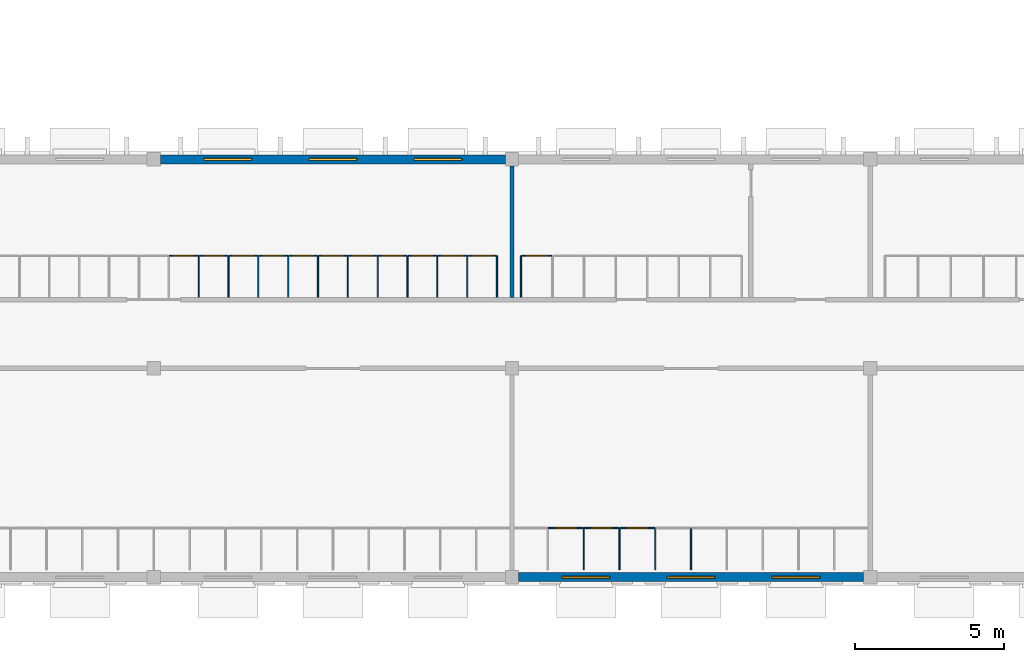
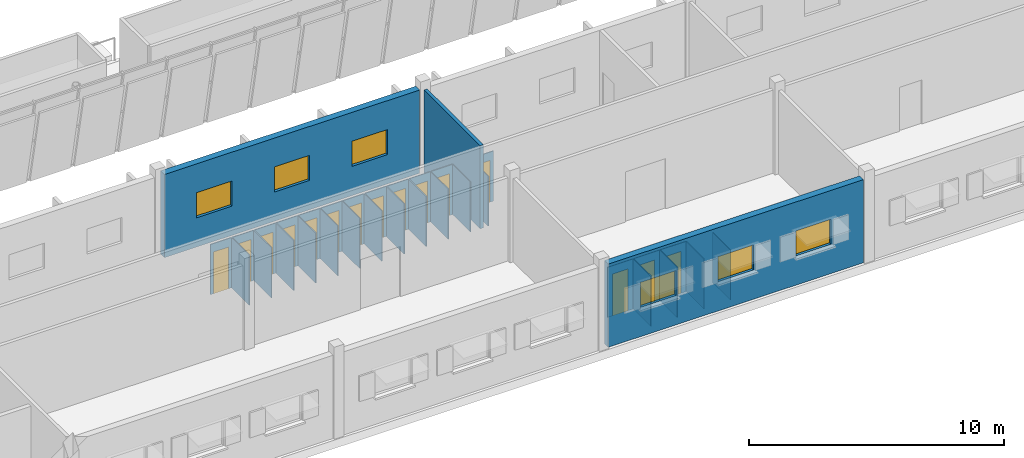
# One storey, part 64 of 115: 34 walls, 15 doors, 6 windows, 21 openings.
"""IFC4 building model written with IfcOpenShell, lengths in metres."""

from ifc_helpers import new_model, si_unit, direction, frame, frame_2d, origin, place, context, subcontext, project, spatial, rectangle, extrude, material, layer, layer_set, type_object, element, fill, save


model = new_model("IFC4")

# Units and contexts
model_context = context("Model", 3, precision=1e-05, world=origin(), true_north=direction((0.0, 1.0)))
body_context = subcontext(model_context, "Body", "Model", "MODEL_VIEW")
ifc_project = project(units=[si_unit("LENGTHUNIT", "METRE"), si_unit("AREAUNIT", "SQUARE_METRE"), si_unit("VOLUMEUNIT", "CUBIC_METRE"), si_unit("PLANEANGLEUNIT", "RADIAN"), si_unit("MASSUNIT", "GRAM", prefix="KILO")], contexts=[model_context])

# Site, building, storey
site_placement = place(None, origin())
site = spatial("IfcSite", under=ifc_project, at=site_placement, CompositionType="ELEMENT")
building_placement = place(site_placement, origin())
building = spatial("IfcBuilding", under=site, at=building_placement, Name="Windward Yard Aquatics Centre", CompositionType="ELEMENT")
storey_placement = place(building_placement, frame((0.0, 0.0, 5.0)))
storey = spatial("IfcBuildingStorey", under=building, at=storey_placement, Name="L01", CompositionType="ELEMENT", Elevation=5.0)

# Walls
ifc_material_1 = material(Name="Concrete masonry unit plastered", Category="masonry")
ifc_layer_1 = layer(ifc_material_1, 0.14990234375)
ifc_layer_set_1 = layer_set([ifc_layer_1], Name="C block partition 150")
wall_type_1 = type_object("IfcWallType", Name="C block partition 150", PredefinedType="PARTITIONING", material=ifc_layer_set_1)
wall_1_placement = place(storey_placement, frame((84.0, 14.375, 0.0), z_axis=(0.0, 0.0, 1.0), x_axis=(0.0, 1.0, 0.0)))
element("IfcWall", 1, at=wall_1_placement, inside=storey, type_object=wall_type_1, Name="C.W.L01.ND.32.1", PredefinedType="PARTITIONING", context=body_context, shape_type="SweptSolid", body=[
    extrude(rectangle(XDim=4.39990234375, YDim=0.14990234375, at=frame_2d((2.199951171875, 0.0))), origin(), (0.0, 0.0, 1.0), 3.97998046875),
])
ifc_material_2 = material(Name="High-pressure laminate panel on stainless frame")
ifc_layer_2 = layer(ifc_material_2, 0.0400390625)
ifc_layer_set_2 = layer_set([ifc_layer_2], Name="C cubicle panel 40")
wall_type_2 = type_object("IfcWallType", Name="C cubicle panel 40", PredefinedType="PARTITIONING", material=ifc_layer_set_2)
for number, where, z_axis, x_axis, name in (
    (2, (86.39990234375, 5.25, 0.0), (0.0, 0.0, 1.0), (0.0, 1.0, 0.0), "C.W.L01.A.P22"),
    (3, (87.60009765625, 5.25, 0.0), (0.0, 0.0, 1.0), (0.0, 1.0, 0.0), "C.W.L01.A.P23"),
    (4, (88.800048828125, 5.25, 0.0), (0.0, 0.0, 1.0), (0.0, 1.0, 0.0), "C.W.L01.A.P24"),
    (5, (90.0, 5.25, 0.0), (0.0, 0.0, 1.0), (0.0, 1.0, 0.0), "C.W.L01.A.P25"),
):
    element("IfcWall", number, at=place(storey_placement, frame(where, z_axis=z_axis, x_axis=x_axis)), inside=storey, type_object=wall_type_2, Name=name, PredefinedType="PARTITIONING", context=body_context, shape_type="SweptSolid", body=[
        extrude(rectangle(XDim=1.39990234375, YDim=0.0400390625, at=frame_2d((0.699951171875, 0.0))), origin(), (0.0, 0.0, 1.0), 2.39990234375),
    ])

# Wall, opening, door
wall_2_placement = place(storey_placement, frame((85.219970703125, 6.64990234375, 0.0), z_axis=(0.0, 0.0, 1.0), x_axis=(1.0, 0.0, 0.0)))
wall_2 = element("IfcWall", 6, at=wall_2_placement, inside=storey, type_object=wall_type_2, Name="C.W.L01.A.F21", PredefinedType="PARTITIONING", context=body_context, shape_type="SweptSolid", body=[
    extrude(rectangle(XDim=1.159912109375, YDim=0.0400390625, at=frame_2d((0.580078125, 0.0))), origin(), (0.0, 0.0, 1.0), 2.39990234375),
])
opening_1_placement = place(wall_2_placement, frame((0.22998046875, 0.0, 0.0)))
opening_1 = element("IfcOpeningElement", 7, at=opening_1_placement, cuts=wall_2, Name="Opening C1042", PredefinedType="OPENING", context=body_context, shape_type="SweptSolid", body=[
    extrude(rectangle(XDim=0.699951171875, YDim=2.0, at=frame_2d((0.35009765625, 1.0))), frame((0.0, 0.030029296875, 0.0), z_axis=(0.0, -1.0, 0.0), x_axis=(1.0, 0.0, 0.0)), (0.0, 0.0, 1.0), 0.06005859375),
])
ifc_material_3 = material(Name="High-pressure laminate door leaf")
door_type = type_object("IfcDoorType", Name="C door 700X2000 NOT RATED", OperationType="SINGLE_SWING_LEFT", PredefinedType="DOOR", material=ifc_material_3)
door_1_placement = place(opening_1_placement, origin())
door_1 = element("IfcDoor", 8, at=door_1_placement, inside=storey, type_object=door_type, Name="Cubicle door A22", OperationType="SINGLE_SWING_LEFT", OverallHeight=2.0, OverallWidth=0.699951171875, PredefinedType="DOOR", context=body_context, shape_type="SweptSolid", body=[
    extrude(rectangle(XDim=0.699951171875, YDim=2.0, at=frame_2d((0.35009765625, 1.0))), frame((0.0, 0.019775390625, 0.0), z_axis=(0.0, -1.0, 0.0), x_axis=(1.0, 0.0, 0.0)), (0.0, 0.0, 1.0), 0.03955078125),
])
fill(opening_1, door_1)

wall_3_placement = place(storey_placement, frame((86.419921875, 6.64990234375, 0.0), z_axis=(0.0, 0.0, 1.0), x_axis=(1.0, 0.0, 0.0)))
wall_3 = element("IfcWall", 9, at=wall_3_placement, inside=storey, type_object=wall_type_2, Name="C.W.L01.A.F22", PredefinedType="PARTITIONING", context=body_context, shape_type="SweptSolid", body=[
    extrude(rectangle(XDim=1.16015625, YDim=0.0400390625, at=frame_2d((0.580078125, 0.0))), origin(), (0.0, 0.0, 1.0), 2.39990234375),
])
opening_2_placement = place(wall_3_placement, frame((0.22998046875, 0.0, 0.0)))
opening_2 = element("IfcOpeningElement", 10, at=opening_2_placement, cuts=wall_3, Name="Opening C1043", PredefinedType="OPENING", context=body_context, shape_type="SweptSolid", body=[
    extrude(rectangle(XDim=0.699951171875, YDim=2.0, at=frame_2d((0.35009765625, 1.0))), frame((0.0, 0.030029296875, 0.0), z_axis=(0.0, -1.0, 0.0), x_axis=(1.0, 0.0, 0.0)), (0.0, 0.0, 1.0), 0.06005859375),
])
door_2_placement = place(opening_2_placement, origin())
door_2 = element("IfcDoor", 11, at=door_2_placement, inside=storey, type_object=door_type, Name="Cubicle door A23", OperationType="SINGLE_SWING_LEFT", OverallHeight=2.0, OverallWidth=0.699951171875, PredefinedType="DOOR", context=body_context, shape_type="SweptSolid", body=[
    extrude(rectangle(XDim=0.699951171875, YDim=2.0, at=frame_2d((0.35009765625, 1.0))), frame((0.0, 0.019775390625, 0.0), z_axis=(0.0, -1.0, 0.0), x_axis=(1.0, 0.0, 0.0)), (0.0, 0.0, 1.0), 0.03955078125),
])
fill(opening_2, door_2)

wall_4_placement = place(storey_placement, frame((87.6201171875, 6.64990234375, 0.0), z_axis=(0.0, 0.0, 1.0), x_axis=(1.0, 0.0, 0.0)))
wall_4 = element("IfcWall", 12, at=wall_4_placement, inside=storey, type_object=wall_type_2, Name="C.W.L01.A.F23", PredefinedType="PARTITIONING", context=body_context, shape_type="SweptSolid", body=[
    extrude(rectangle(XDim=1.159912109375, YDim=0.0400390625, at=frame_2d((0.580078125, 0.0))), origin(), (0.0, 0.0, 1.0), 2.39990234375),
])
opening_3_placement = place(wall_4_placement, frame((0.22998046875, 0.0, 0.0)))
opening_3 = element("IfcOpeningElement", 13, at=opening_3_placement, cuts=wall_4, Name="Opening C1044", PredefinedType="OPENING", context=body_context, shape_type="SweptSolid", body=[
    extrude(rectangle(XDim=0.699951171875, YDim=2.0, at=frame_2d((0.35009765625, 1.0))), frame((0.0, 0.030029296875, 0.0), z_axis=(0.0, -1.0, 0.0), x_axis=(1.0, 0.0, 0.0)), (0.0, 0.0, 1.0), 0.06005859375),
])
door_3_placement = place(opening_3_placement, origin())
door_3 = element("IfcDoor", 14, at=door_3_placement, inside=storey, type_object=door_type, Name="Cubicle door A24", OperationType="SINGLE_SWING_LEFT", OverallHeight=2.0, OverallWidth=0.699951171875, PredefinedType="DOOR", context=body_context, shape_type="SweptSolid", body=[
    extrude(rectangle(XDim=0.699951171875, YDim=2.0, at=frame_2d((0.35009765625, 1.0))), frame((0.0, 0.019775390625, 0.0), z_axis=(0.0, -1.0, 0.0), x_axis=(1.0, 0.0, 0.0)), (0.0, 0.0, 1.0), 0.03955078125),
])
fill(opening_3, door_3)

# Walls
for number, where, z_axis, x_axis, name in (
    (15, (73.5, 14.375, 0.0), (0.0, 0.0, 1.0), (0.0, 1.0, 0.0), "C.W.L01.E.P13"),
    (16, (74.5, 14.375, 0.0), (0.0, 0.0, 1.0), (0.0, 1.0, 0.0), "C.W.L01.E.P14"),
    (17, (75.5, 14.375, 0.0), (0.0, 0.0, 1.0), (0.0, 1.0, 0.0), "C.W.L01.E.P15"),
    (18, (76.5, 14.375, 0.0), (0.0, 0.0, 1.0), (0.0, 1.0, 0.0), "C.W.L01.E.P16"),
    (19, (77.5, 14.375, 0.0), (0.0, 0.0, 1.0), (0.0, 1.0, 0.0), "C.W.L01.E.P17"),
    (20, (78.5, 14.375, 0.0), (0.0, 0.0, 1.0), (0.0, 1.0, 0.0), "C.W.L01.E.P18"),
    (21, (79.5, 14.375, 0.0), (0.0, 0.0, 1.0), (0.0, 1.0, 0.0), "C.W.L01.E.P19"),
    (22, (80.5, 14.375, 0.0), (0.0, 0.0, 1.0), (0.0, 1.0, 0.0), "C.W.L01.E.P20"),
    (23, (81.5, 14.375, 0.0), (0.0, 0.0, 1.0), (0.0, 1.0, 0.0), "C.W.L01.E.P21"),
    (24, (82.5, 14.375, 0.0), (0.0, 0.0, 1.0), (0.0, 1.0, 0.0), "C.W.L01.E.P22"),
    (25, (83.5, 14.375, 0.0), (0.0, 0.0, 1.0), (0.0, 1.0, 0.0), "C.W.L01.E.P23"),
):
    element("IfcWall", number, at=place(storey_placement, frame(where, z_axis=z_axis, x_axis=x_axis)), inside=storey, type_object=wall_type_2, Name=name, PredefinedType="PARTITIONING", context=body_context, shape_type="SweptSolid", body=[
        extrude(rectangle(XDim=1.39990234375, YDim=0.0400390625, at=frame_2d((0.699951171875, 0.0))), origin(), (0.0, 0.0, 1.0), 2.39990234375),
    ])

# Wall, opening, door
wall_5_placement = place(storey_placement, frame((72.52001953125, 15.77490234375, 0.0), z_axis=(0.0, 0.0, 1.0), x_axis=(1.0, 0.0, 0.0)))
wall_5 = element("IfcWall", 26, at=wall_5_placement, inside=storey, type_object=wall_type_2, Name="C.W.L01.E.F12", PredefinedType="PARTITIONING", context=body_context, shape_type="SweptSolid", body=[
    extrude(rectangle(XDim=0.9599609375, YDim=0.0400390625, at=frame_2d((0.47998046875, 0.0))), origin(), (0.0, 0.0, 1.0), 2.39990234375),
])
opening_4_placement = place(wall_5_placement, frame((0.1298828125, 0.0, 0.0)))
opening_4 = element("IfcOpeningElement", 27, at=opening_4_placement, cuts=wall_5, Name="Opening C1063", PredefinedType="OPENING", context=body_context, shape_type="SweptSolid", body=[
    extrude(rectangle(XDim=0.699951171875, YDim=2.0, at=frame_2d((0.35009765625, 1.0))), frame((0.0, 0.030029296875, 0.0), z_axis=(0.0, -1.0, 0.0), x_axis=(1.0, 0.0, 0.0)), (0.0, 0.0, 1.0), 0.06005859375),
])
door_4_placement = place(opening_4_placement, origin())
door_4 = element("IfcDoor", 28, at=door_4_placement, inside=storey, type_object=door_type, Name="Cubicle door E13", OperationType="SINGLE_SWING_LEFT", OverallHeight=2.0, OverallWidth=0.699951171875, PredefinedType="DOOR", context=body_context, shape_type="SweptSolid", body=[
    extrude(rectangle(XDim=0.699951171875, YDim=2.0, at=frame_2d((0.35009765625, 1.0))), frame((0.0, 0.019775390625, 0.0), z_axis=(0.0, -1.0, 0.0), x_axis=(1.0, 0.0, 0.0)), (0.0, 0.0, 1.0), 0.03955078125),
])
fill(opening_4, door_4)

wall_6_placement = place(storey_placement, frame((73.52001953125, 15.77490234375, 0.0), z_axis=(0.0, 0.0, 1.0), x_axis=(1.0, 0.0, 0.0)))
wall_6 = element("IfcWall", 29, at=wall_6_placement, inside=storey, type_object=wall_type_2, Name="C.W.L01.E.F13", PredefinedType="PARTITIONING", context=body_context, shape_type="SweptSolid", body=[
    extrude(rectangle(XDim=0.9599609375, YDim=0.0400390625, at=frame_2d((0.47998046875, 0.0))), origin(), (0.0, 0.0, 1.0), 2.39990234375),
])
opening_5_placement = place(wall_6_placement, frame((0.1298828125, 0.0, 0.0)))
opening_5 = element("IfcOpeningElement", 30, at=opening_5_placement, cuts=wall_6, Name="Opening C1064", PredefinedType="OPENING", context=body_context, shape_type="SweptSolid", body=[
    extrude(rectangle(XDim=0.699951171875, YDim=2.0, at=frame_2d((0.35009765625, 1.0))), frame((0.0, 0.030029296875, 0.0), z_axis=(0.0, -1.0, 0.0), x_axis=(1.0, 0.0, 0.0)), (0.0, 0.0, 1.0), 0.06005859375),
])
door_5_placement = place(opening_5_placement, origin())
door_5 = element("IfcDoor", 31, at=door_5_placement, inside=storey, type_object=door_type, Name="Cubicle door E14", OperationType="SINGLE_SWING_LEFT", OverallHeight=2.0, OverallWidth=0.699951171875, PredefinedType="DOOR", context=body_context, shape_type="SweptSolid", body=[
    extrude(rectangle(XDim=0.699951171875, YDim=2.0, at=frame_2d((0.35009765625, 1.0))), frame((0.0, 0.019775390625, 0.0), z_axis=(0.0, -1.0, 0.0), x_axis=(1.0, 0.0, 0.0)), (0.0, 0.0, 1.0), 0.03955078125),
])
fill(opening_5, door_5)

wall_7_placement = place(storey_placement, frame((74.52001953125, 15.77490234375, 0.0), z_axis=(0.0, 0.0, 1.0), x_axis=(1.0, 0.0, 0.0)))
wall_7 = element("IfcWall", 32, at=wall_7_placement, inside=storey, type_object=wall_type_2, Name="C.W.L01.E.F14", PredefinedType="PARTITIONING", context=body_context, shape_type="SweptSolid", body=[
    extrude(rectangle(XDim=0.9599609375, YDim=0.0400390625, at=frame_2d((0.47998046875, 0.0))), origin(), (0.0, 0.0, 1.0), 2.39990234375),
])
opening_6_placement = place(wall_7_placement, frame((0.1298828125, 0.0, 0.0)))
opening_6 = element("IfcOpeningElement", 33, at=opening_6_placement, cuts=wall_7, Name="Opening C1065", PredefinedType="OPENING", context=body_context, shape_type="SweptSolid", body=[
    extrude(rectangle(XDim=0.699951171875, YDim=2.0, at=frame_2d((0.35009765625, 1.0))), frame((0.0, 0.030029296875, 0.0), z_axis=(0.0, -1.0, 0.0), x_axis=(1.0, 0.0, 0.0)), (0.0, 0.0, 1.0), 0.06005859375),
])
door_6_placement = place(opening_6_placement, origin())
door_6 = element("IfcDoor", 34, at=door_6_placement, inside=storey, type_object=door_type, Name="Cubicle door E15", OperationType="SINGLE_SWING_LEFT", OverallHeight=2.0, OverallWidth=0.699951171875, PredefinedType="DOOR", context=body_context, shape_type="SweptSolid", body=[
    extrude(rectangle(XDim=0.699951171875, YDim=2.0, at=frame_2d((0.35009765625, 1.0))), frame((0.0, 0.019775390625, 0.0), z_axis=(0.0, -1.0, 0.0), x_axis=(1.0, 0.0, 0.0)), (0.0, 0.0, 1.0), 0.03955078125),
])
fill(opening_6, door_6)

wall_8_placement = place(storey_placement, frame((75.52001953125, 15.77490234375, 0.0), z_axis=(0.0, 0.0, 1.0), x_axis=(1.0, 0.0, 0.0)))
wall_8 = element("IfcWall", 35, at=wall_8_placement, inside=storey, type_object=wall_type_2, Name="C.W.L01.E.F15", PredefinedType="PARTITIONING", context=body_context, shape_type="SweptSolid", body=[
    extrude(rectangle(XDim=0.9599609375, YDim=0.0400390625, at=frame_2d((0.47998046875, 0.0))), origin(), (0.0, 0.0, 1.0), 2.39990234375),
])
opening_7_placement = place(wall_8_placement, frame((0.1298828125, 0.0, 0.0)))
opening_7 = element("IfcOpeningElement", 36, at=opening_7_placement, cuts=wall_8, Name="Opening C1066", PredefinedType="OPENING", context=body_context, shape_type="SweptSolid", body=[
    extrude(rectangle(XDim=0.699951171875, YDim=2.0, at=frame_2d((0.35009765625, 1.0))), frame((0.0, 0.030029296875, 0.0), z_axis=(0.0, -1.0, 0.0), x_axis=(1.0, 0.0, 0.0)), (0.0, 0.0, 1.0), 0.06005859375),
])
door_7_placement = place(opening_7_placement, origin())
door_7 = element("IfcDoor", 37, at=door_7_placement, inside=storey, type_object=door_type, Name="Cubicle door E16", OperationType="SINGLE_SWING_LEFT", OverallHeight=2.0, OverallWidth=0.699951171875, PredefinedType="DOOR", context=body_context, shape_type="SweptSolid", body=[
    extrude(rectangle(XDim=0.699951171875, YDim=2.0, at=frame_2d((0.35009765625, 1.0))), frame((0.0, 0.019775390625, 0.0), z_axis=(0.0, -1.0, 0.0), x_axis=(1.0, 0.0, 0.0)), (0.0, 0.0, 1.0), 0.03955078125),
])
fill(opening_7, door_7)

wall_9_placement = place(storey_placement, frame((76.52001953125, 15.77490234375, 0.0), z_axis=(0.0, 0.0, 1.0), x_axis=(1.0, 0.0, 0.0)))
wall_9 = element("IfcWall", 38, at=wall_9_placement, inside=storey, type_object=wall_type_2, Name="C.W.L01.E.F16", PredefinedType="PARTITIONING", context=body_context, shape_type="SweptSolid", body=[
    extrude(rectangle(XDim=0.9599609375, YDim=0.0400390625, at=frame_2d((0.47998046875, 0.0))), origin(), (0.0, 0.0, 1.0), 2.39990234375),
])
opening_8_placement = place(wall_9_placement, frame((0.1298828125, 0.0, 0.0)))
opening_8 = element("IfcOpeningElement", 39, at=opening_8_placement, cuts=wall_9, Name="Opening C1067", PredefinedType="OPENING", context=body_context, shape_type="SweptSolid", body=[
    extrude(rectangle(XDim=0.699951171875, YDim=2.0, at=frame_2d((0.35009765625, 1.0))), frame((0.0, 0.030029296875, 0.0), z_axis=(0.0, -1.0, 0.0), x_axis=(1.0, 0.0, 0.0)), (0.0, 0.0, 1.0), 0.06005859375),
])
door_8_placement = place(opening_8_placement, origin())
door_8 = element("IfcDoor", 40, at=door_8_placement, inside=storey, type_object=door_type, Name="Cubicle door E17", OperationType="SINGLE_SWING_LEFT", OverallHeight=2.0, OverallWidth=0.699951171875, PredefinedType="DOOR", context=body_context, shape_type="SweptSolid", body=[
    extrude(rectangle(XDim=0.699951171875, YDim=2.0, at=frame_2d((0.35009765625, 1.0))), frame((0.0, 0.019775390625, 0.0), z_axis=(0.0, -1.0, 0.0), x_axis=(1.0, 0.0, 0.0)), (0.0, 0.0, 1.0), 0.03955078125),
])
fill(opening_8, door_8)

wall_10_placement = place(storey_placement, frame((77.52001953125, 15.77490234375, 0.0), z_axis=(0.0, 0.0, 1.0), x_axis=(1.0, 0.0, 0.0)))
wall_10 = element("IfcWall", 41, at=wall_10_placement, inside=storey, type_object=wall_type_2, Name="C.W.L01.E.F17", PredefinedType="PARTITIONING", context=body_context, shape_type="SweptSolid", body=[
    extrude(rectangle(XDim=0.9599609375, YDim=0.0400390625, at=frame_2d((0.47998046875, 0.0))), origin(), (0.0, 0.0, 1.0), 2.39990234375),
])
opening_9_placement = place(wall_10_placement, frame((0.1298828125, 0.0, 0.0)))
opening_9 = element("IfcOpeningElement", 42, at=opening_9_placement, cuts=wall_10, Name="Opening C1068", PredefinedType="OPENING", context=body_context, shape_type="SweptSolid", body=[
    extrude(rectangle(XDim=0.699951171875, YDim=2.0, at=frame_2d((0.35009765625, 1.0))), frame((0.0, 0.030029296875, 0.0), z_axis=(0.0, -1.0, 0.0), x_axis=(1.0, 0.0, 0.0)), (0.0, 0.0, 1.0), 0.06005859375),
])
door_9_placement = place(opening_9_placement, origin())
door_9 = element("IfcDoor", 43, at=door_9_placement, inside=storey, type_object=door_type, Name="Cubicle door E18", OperationType="SINGLE_SWING_LEFT", OverallHeight=2.0, OverallWidth=0.699951171875, PredefinedType="DOOR", context=body_context, shape_type="SweptSolid", body=[
    extrude(rectangle(XDim=0.699951171875, YDim=2.0, at=frame_2d((0.35009765625, 1.0))), frame((0.0, 0.019775390625, 0.0), z_axis=(0.0, -1.0, 0.0), x_axis=(1.0, 0.0, 0.0)), (0.0, 0.0, 1.0), 0.03955078125),
])
fill(opening_9, door_9)

wall_11_placement = place(storey_placement, frame((78.52001953125, 15.77490234375, 0.0), z_axis=(0.0, 0.0, 1.0), x_axis=(1.0, 0.0, 0.0)))
wall_11 = element("IfcWall", 44, at=wall_11_placement, inside=storey, type_object=wall_type_2, Name="C.W.L01.E.F18", PredefinedType="PARTITIONING", context=body_context, shape_type="SweptSolid", body=[
    extrude(rectangle(XDim=0.9599609375, YDim=0.0400390625, at=frame_2d((0.47998046875, 0.0))), origin(), (0.0, 0.0, 1.0), 2.39990234375),
])
opening_10_placement = place(wall_11_placement, frame((0.1298828125, 0.0, 0.0)))
opening_10 = element("IfcOpeningElement", 45, at=opening_10_placement, cuts=wall_11, Name="Opening C1069", PredefinedType="OPENING", context=body_context, shape_type="SweptSolid", body=[
    extrude(rectangle(XDim=0.699951171875, YDim=2.0, at=frame_2d((0.35009765625, 1.0))), frame((0.0, 0.030029296875, 0.0), z_axis=(0.0, -1.0, 0.0), x_axis=(1.0, 0.0, 0.0)), (0.0, 0.0, 1.0), 0.06005859375),
])
door_10_placement = place(opening_10_placement, origin())
door_10 = element("IfcDoor", 46, at=door_10_placement, inside=storey, type_object=door_type, Name="Cubicle door E19", OperationType="SINGLE_SWING_LEFT", OverallHeight=2.0, OverallWidth=0.699951171875, PredefinedType="DOOR", context=body_context, shape_type="SweptSolid", body=[
    extrude(rectangle(XDim=0.699951171875, YDim=2.0, at=frame_2d((0.35009765625, 1.0))), frame((0.0, 0.019775390625, 0.0), z_axis=(0.0, -1.0, 0.0), x_axis=(1.0, 0.0, 0.0)), (0.0, 0.0, 1.0), 0.03955078125),
])
fill(opening_10, door_10)

wall_12_placement = place(storey_placement, frame((79.52001953125, 15.77490234375, 0.0), z_axis=(0.0, 0.0, 1.0), x_axis=(1.0, 0.0, 0.0)))
wall_12 = element("IfcWall", 47, at=wall_12_placement, inside=storey, type_object=wall_type_2, Name="C.W.L01.E.F19", PredefinedType="PARTITIONING", context=body_context, shape_type="SweptSolid", body=[
    extrude(rectangle(XDim=0.9599609375, YDim=0.0400390625, at=frame_2d((0.47998046875, 0.0))), origin(), (0.0, 0.0, 1.0), 2.39990234375),
])
opening_11_placement = place(wall_12_placement, frame((0.1298828125, 0.0, 0.0)))
opening_11 = element("IfcOpeningElement", 48, at=opening_11_placement, cuts=wall_12, Name="Opening C1070", PredefinedType="OPENING", context=body_context, shape_type="SweptSolid", body=[
    extrude(rectangle(XDim=0.699951171875, YDim=2.0, at=frame_2d((0.35009765625, 1.0))), frame((0.0, 0.030029296875, 0.0), z_axis=(0.0, -1.0, 0.0), x_axis=(1.0, 0.0, 0.0)), (0.0, 0.0, 1.0), 0.06005859375),
])
door_11_placement = place(opening_11_placement, origin())
door_11 = element("IfcDoor", 49, at=door_11_placement, inside=storey, type_object=door_type, Name="Cubicle door E20", OperationType="SINGLE_SWING_LEFT", OverallHeight=2.0, OverallWidth=0.699951171875, PredefinedType="DOOR", context=body_context, shape_type="SweptSolid", body=[
    extrude(rectangle(XDim=0.699951171875, YDim=2.0, at=frame_2d((0.35009765625, 1.0))), frame((0.0, 0.019775390625, 0.0), z_axis=(0.0, -1.0, 0.0), x_axis=(1.0, 0.0, 0.0)), (0.0, 0.0, 1.0), 0.03955078125),
])
fill(opening_11, door_11)

wall_13_placement = place(storey_placement, frame((80.52001953125, 15.77490234375, 0.0), z_axis=(0.0, 0.0, 1.0), x_axis=(1.0, 0.0, 0.0)))
wall_13 = element("IfcWall", 50, at=wall_13_placement, inside=storey, type_object=wall_type_2, Name="C.W.L01.E.F20", PredefinedType="PARTITIONING", context=body_context, shape_type="SweptSolid", body=[
    extrude(rectangle(XDim=0.9599609375, YDim=0.0400390625, at=frame_2d((0.47998046875, 0.0))), origin(), (0.0, 0.0, 1.0), 2.39990234375),
])
opening_12_placement = place(wall_13_placement, frame((0.1298828125, 0.0, 0.0)))
opening_12 = element("IfcOpeningElement", 51, at=opening_12_placement, cuts=wall_13, Name="Opening C1071", PredefinedType="OPENING", context=body_context, shape_type="SweptSolid", body=[
    extrude(rectangle(XDim=0.699951171875, YDim=2.0, at=frame_2d((0.35009765625, 1.0))), frame((0.0, 0.030029296875, 0.0), z_axis=(0.0, -1.0, 0.0), x_axis=(1.0, 0.0, 0.0)), (0.0, 0.0, 1.0), 0.06005859375),
])
door_12_placement = place(opening_12_placement, origin())
door_12 = element("IfcDoor", 52, at=door_12_placement, inside=storey, type_object=door_type, Name="Cubicle door E21", OperationType="SINGLE_SWING_LEFT", OverallHeight=2.0, OverallWidth=0.699951171875, PredefinedType="DOOR", context=body_context, shape_type="SweptSolid", body=[
    extrude(rectangle(XDim=0.699951171875, YDim=2.0, at=frame_2d((0.35009765625, 1.0))), frame((0.0, 0.019775390625, 0.0), z_axis=(0.0, -1.0, 0.0), x_axis=(1.0, 0.0, 0.0)), (0.0, 0.0, 1.0), 0.03955078125),
])
fill(opening_12, door_12)

wall_14_placement = place(storey_placement, frame((81.52001953125, 15.77490234375, 0.0), z_axis=(0.0, 0.0, 1.0), x_axis=(1.0, 0.0, 0.0)))
wall_14 = element("IfcWall", 53, at=wall_14_placement, inside=storey, type_object=wall_type_2, Name="C.W.L01.E.F21", PredefinedType="PARTITIONING", context=body_context, shape_type="SweptSolid", body=[
    extrude(rectangle(XDim=0.9599609375, YDim=0.0400390625, at=frame_2d((0.47998046875, 0.0))), origin(), (0.0, 0.0, 1.0), 2.39990234375),
])
opening_13_placement = place(wall_14_placement, frame((0.1298828125, 0.0, 0.0)))
opening_13 = element("IfcOpeningElement", 54, at=opening_13_placement, cuts=wall_14, Name="Opening C1072", PredefinedType="OPENING", context=body_context, shape_type="SweptSolid", body=[
    extrude(rectangle(XDim=0.699951171875, YDim=2.0, at=frame_2d((0.35009765625, 1.0))), frame((0.0, 0.030029296875, 0.0), z_axis=(0.0, -1.0, 0.0), x_axis=(1.0, 0.0, 0.0)), (0.0, 0.0, 1.0), 0.06005859375),
])
door_13_placement = place(opening_13_placement, origin())
door_13 = element("IfcDoor", 55, at=door_13_placement, inside=storey, type_object=door_type, Name="Cubicle door E22", OperationType="SINGLE_SWING_LEFT", OverallHeight=2.0, OverallWidth=0.699951171875, PredefinedType="DOOR", context=body_context, shape_type="SweptSolid", body=[
    extrude(rectangle(XDim=0.699951171875, YDim=2.0, at=frame_2d((0.35009765625, 1.0))), frame((0.0, 0.019775390625, 0.0), z_axis=(0.0, -1.0, 0.0), x_axis=(1.0, 0.0, 0.0)), (0.0, 0.0, 1.0), 0.03955078125),
])
fill(opening_13, door_13)

wall_15_placement = place(storey_placement, frame((82.52001953125, 15.77490234375, 0.0), z_axis=(0.0, 0.0, 1.0), x_axis=(1.0, 0.0, 0.0)))
wall_15 = element("IfcWall", 56, at=wall_15_placement, inside=storey, type_object=wall_type_2, Name="C.W.L01.E.F22", PredefinedType="PARTITIONING", context=body_context, shape_type="SweptSolid", body=[
    extrude(rectangle(XDim=0.9599609375, YDim=0.0400390625, at=frame_2d((0.47998046875, 0.0))), origin(), (0.0, 0.0, 1.0), 2.39990234375),
])
opening_14_placement = place(wall_15_placement, frame((0.1298828125, 0.0, 0.0)))
opening_14 = element("IfcOpeningElement", 57, at=opening_14_placement, cuts=wall_15, Name="Opening C1073", PredefinedType="OPENING", context=body_context, shape_type="SweptSolid", body=[
    extrude(rectangle(XDim=0.699951171875, YDim=2.0, at=frame_2d((0.35009765625, 1.0))), frame((0.0, 0.030029296875, 0.0), z_axis=(0.0, -1.0, 0.0), x_axis=(1.0, 0.0, 0.0)), (0.0, 0.0, 1.0), 0.06005859375),
])
door_14_placement = place(opening_14_placement, origin())
door_14 = element("IfcDoor", 58, at=door_14_placement, inside=storey, type_object=door_type, Name="Cubicle door E23", OperationType="SINGLE_SWING_LEFT", OverallHeight=2.0, OverallWidth=0.699951171875, PredefinedType="DOOR", context=body_context, shape_type="SweptSolid", body=[
    extrude(rectangle(XDim=0.699951171875, YDim=2.0, at=frame_2d((0.35009765625, 1.0))), frame((0.0, 0.019775390625, 0.0), z_axis=(0.0, -1.0, 0.0), x_axis=(1.0, 0.0, 0.0)), (0.0, 0.0, 1.0), 0.03955078125),
])
fill(opening_14, door_14)

# Wall
wall_16_placement = place(storey_placement, frame((84.300048828125, 14.375, 0.0), z_axis=(0.0, 0.0, 1.0), x_axis=(0.0, 1.0, 0.0)))
element("IfcWall", 59, at=wall_16_placement, inside=storey, type_object=wall_type_2, Name="C.W.L01.F.P0", PredefinedType="PARTITIONING", context=body_context, shape_type="SweptSolid", body=[
    extrude(rectangle(XDim=1.39990234375, YDim=0.0400390625, at=frame_2d((0.699951171875, 0.0))), origin(), (0.0, 0.0, 1.0), 2.39990234375),
])

# Wall, opening, door
wall_17_placement = place(storey_placement, frame((84.320068359375, 15.77490234375, 0.0), z_axis=(0.0, 0.0, 1.0), x_axis=(1.0, 0.0, 0.0)))
wall_17 = element("IfcWall", 60, at=wall_17_placement, inside=storey, type_object=wall_type_2, Name="C.W.L01.F.F0", PredefinedType="PARTITIONING", context=body_context, shape_type="SweptSolid", body=[
    extrude(rectangle(XDim=1.01708984375, YDim=0.0400390625, at=frame_2d((0.508544921875, 0.0))), origin(), (0.0, 0.0, 1.0), 2.39990234375),
])
opening_15_placement = place(wall_17_placement, frame((0.15869140625, 0.0, 0.0)))
opening_15 = element("IfcOpeningElement", 61, at=opening_15_placement, cuts=wall_17, Name="Opening C1074", PredefinedType="OPENING", context=body_context, shape_type="SweptSolid", body=[
    extrude(rectangle(XDim=0.699951171875, YDim=2.0, at=frame_2d((0.35009765625, 1.0))), frame((0.0, 0.030029296875, 0.0), z_axis=(0.0, -1.0, 0.0), x_axis=(1.0, 0.0, 0.0)), (0.0, 0.0, 1.0), 0.06005859375),
])
door_15_placement = place(opening_15_placement, origin())
door_15 = element("IfcDoor", 62, at=door_15_placement, inside=storey, type_object=door_type, Name="Cubicle door F1", OperationType="SINGLE_SWING_LEFT", OverallHeight=2.0, OverallWidth=0.699951171875, PredefinedType="DOOR", context=body_context, shape_type="SweptSolid", body=[
    extrude(rectangle(XDim=0.699951171875, YDim=2.0, at=frame_2d((0.35009765625, 1.0))), frame((0.0, 0.019775390625, 0.0), z_axis=(0.0, -1.0, 0.0), x_axis=(1.0, 0.0, 0.0)), (0.0, 0.0, 1.0), 0.03955078125),
])
fill(opening_15, door_15)

# Wall, openings, windows
ifc_material_4 = material(Name="Natural stone cladding", Category="masonry")
ifc_layer_3 = layer(ifc_material_4, 0.04, Name="Cladding")
ifc_material_5 = material(Name="Ventilated air cavity")
ifc_layer_4 = layer(ifc_material_5, 0.04, ventilated=True, Name="Ventilated cavity")
ifc_material_6 = material(Name="Mineral wool insulation")
ifc_layer_5 = layer(ifc_material_6, 0.06, Name="Insulation")
ifc_material_7 = material(Name="Concrete C35/45", Category="concrete")
ifc_layer_6 = layer(ifc_material_7, 0.16, Name="Structure")
ifc_layer_set_3 = layer_set([ifc_layer_3, ifc_layer_4, ifc_layer_5, ifc_layer_6], Name="C stone-faced external wall 300")
wall_type_3 = type_object("IfcWallType", Name="C stone-faced external wall 300", PredefinedType="ELEMENTEDWALL", material=ifc_layer_set_3)
wall_18_placement = place(storey_placement, frame((84.22509765625, 5.0, 0.0), z_axis=(0.0, 0.0, 1.0), x_axis=(1.0, 0.0, 0.0)))
wall_18 = element("IfcWall", 63, at=wall_18_placement, inside=storey, type_object=wall_type_3, Name="C.W.L01.S4", PredefinedType="ELEMENTEDWALL", context=body_context, shape_type="SweptSolid", body=[
    extrude(rectangle(XDim=11.5498046875, YDim=0.300048828125, at=frame_2d((5.77490234375, 0.0))), origin(), (0.0, 0.0, 1.0), 3.97998046875),
])
opening_16_placement = place(wall_18_placement, frame((1.458251953125, 0.0, 1.39990234375)))
opening_16 = element("IfcOpeningElement", 64, at=opening_16_placement, cuts=wall_18, Name="Opening CW1007", PredefinedType="OPENING", context=body_context, shape_type="SweptSolid", body=[
    extrude(rectangle(XDim=1.60009765625, YDim=1.199951171875, at=frame_2d((0.800048828125, 0.60009765625))), frame((0.0, 0.16015625, 0.0), z_axis=(0.0, -1.0, 0.0), x_axis=(1.0, 0.0, 0.0)), (0.0, 0.0, 1.0), 0.320068359375),
])
opening_17_placement = place(wall_18_placement, frame((4.97509765625, 0.0, 1.39990234375)))
opening_17 = element("IfcOpeningElement", 65, at=opening_17_placement, cuts=wall_18, Name="Opening CW1008", PredefinedType="OPENING", context=body_context, shape_type="SweptSolid", body=[
    extrude(rectangle(XDim=1.60009765625, YDim=1.199951171875, at=frame_2d((0.800048828125, 0.60009765625))), frame((0.0, 0.16015625, 0.0), z_axis=(0.0, -1.0, 0.0), x_axis=(1.0, 0.0, 0.0)), (0.0, 0.0, 1.0), 0.320068359375),
])
opening_18_placement = place(wall_18_placement, frame((8.49169921875, 0.0, 1.39990234375)))
opening_18 = element("IfcOpeningElement", 66, at=opening_18_placement, cuts=wall_18, Name="Opening CW1009", PredefinedType="OPENING", context=body_context, shape_type="SweptSolid", body=[
    extrude(rectangle(XDim=1.60009765625, YDim=1.199951171875, at=frame_2d((0.800048828125, 0.60009765625))), frame((0.0, 0.16015625, 0.0), z_axis=(0.0, -1.0, 0.0), x_axis=(1.0, 0.0, 0.0)), (0.0, 0.0, 1.0), 0.320068359375),
])
ifc_material_8 = material(Name="Aluminium framed double glazing", Category="aluminium")
window_type = type_object("IfcWindowType", Name="C window 1600X1200", PartitioningType="SINGLE_PANEL", PredefinedType="WINDOW", material=ifc_material_8)
window_1_placement = place(opening_16_placement, origin())
window_1 = element("IfcWindow", 67, at=window_1_placement, inside=storey, type_object=window_type, Name="Window CW1007", OverallHeight=1.199951171875, OverallWidth=1.60009765625, PartitioningType="SINGLE_PANEL", PredefinedType="WINDOW", context=body_context, shape_type="SweptSolid", body=[
    extrude(rectangle(XDim=1.60009765625, YDim=1.199951171875, at=frame_2d((0.800048828125, 0.60009765625))), frame((0.0, 0.030029296875, 0.0), z_axis=(0.0, -1.0, 0.0), x_axis=(1.0, 0.0, 0.0)), (0.0, 0.0, 1.0), 0.06005859375),
])
fill(opening_16, window_1)
window_2_placement = place(opening_17_placement, origin())
window_2 = element("IfcWindow", 68, at=window_2_placement, inside=storey, type_object=window_type, Name="Window CW1008", OverallHeight=1.199951171875, OverallWidth=1.60009765625, PartitioningType="SINGLE_PANEL", PredefinedType="WINDOW", context=body_context, shape_type="SweptSolid", body=[
    extrude(rectangle(XDim=1.60009765625, YDim=1.199951171875, at=frame_2d((0.800048828125, 0.60009765625))), frame((0.0, 0.030029296875, 0.0), z_axis=(0.0, -1.0, 0.0), x_axis=(1.0, 0.0, 0.0)), (0.0, 0.0, 1.0), 0.06005859375),
])
fill(opening_17, window_2)
window_3_placement = place(opening_18_placement, origin())
window_3 = element("IfcWindow", 69, at=window_3_placement, inside=storey, type_object=window_type, Name="Window CW1009", OverallHeight=1.199951171875, OverallWidth=1.60009765625, PartitioningType="SINGLE_PANEL", PredefinedType="WINDOW", context=body_context, shape_type="SweptSolid", body=[
    extrude(rectangle(XDim=1.60009765625, YDim=1.199951171875, at=frame_2d((0.800048828125, 0.60009765625))), frame((0.0, 0.030029296875, 0.0), z_axis=(0.0, -1.0, 0.0), x_axis=(1.0, 0.0, 0.0)), (0.0, 0.0, 1.0), 0.06005859375),
])
fill(opening_18, window_3)

wall_19_placement = place(storey_placement, frame((72.22509765625, 19.0, 0.0), z_axis=(0.0, 0.0, 1.0), x_axis=(1.0, 0.0, 0.0)))
wall_19 = element("IfcWall", 70, at=wall_19_placement, inside=storey, type_object=wall_type_3, Name="C.W.L01.N3", PredefinedType="ELEMENTEDWALL", context=body_context, shape_type="SweptSolid", body=[
    extrude(rectangle(XDim=11.5498046875, YDim=0.300048828125, at=frame_2d((5.77490234375, 0.0))), origin(), (0.0, 0.0, 1.0), 3.97998046875),
])
opening_19_placement = place(wall_19_placement, frame((1.458251953125, 0.0, 1.39990234375)))
opening_19 = element("IfcOpeningElement", 71, at=opening_19_placement, cuts=wall_19, Name="Opening CW1025", PredefinedType="OPENING", context=body_context, shape_type="SweptSolid", body=[
    extrude(rectangle(XDim=1.60009765625, YDim=1.199951171875, at=frame_2d((0.800048828125, 0.60009765625))), frame((0.0, 0.16015625, 0.0), z_axis=(0.0, -1.0, 0.0), x_axis=(1.0, 0.0, 0.0)), (0.0, 0.0, 1.0), 0.320068359375),
])
opening_20_placement = place(wall_19_placement, frame((4.97509765625, 0.0, 1.39990234375)))
opening_20 = element("IfcOpeningElement", 72, at=opening_20_placement, cuts=wall_19, Name="Opening CW1026", PredefinedType="OPENING", context=body_context, shape_type="SweptSolid", body=[
    extrude(rectangle(XDim=1.60009765625, YDim=1.199951171875, at=frame_2d((0.800048828125, 0.60009765625))), frame((0.0, 0.16015625, 0.0), z_axis=(0.0, -1.0, 0.0), x_axis=(1.0, 0.0, 0.0)), (0.0, 0.0, 1.0), 0.320068359375),
])
opening_21_placement = place(wall_19_placement, frame((8.49169921875, 0.0, 1.39990234375)))
opening_21 = element("IfcOpeningElement", 73, at=opening_21_placement, cuts=wall_19, Name="Opening CW1027", PredefinedType="OPENING", context=body_context, shape_type="SweptSolid", body=[
    extrude(rectangle(XDim=1.60009765625, YDim=1.199951171875, at=frame_2d((0.800048828125, 0.60009765625))), frame((0.0, 0.16015625, 0.0), z_axis=(0.0, -1.0, 0.0), x_axis=(1.0, 0.0, 0.0)), (0.0, 0.0, 1.0), 0.320068359375),
])
window_4_placement = place(opening_19_placement, origin())
window_4 = element("IfcWindow", 74, at=window_4_placement, inside=storey, type_object=window_type, Name="Window CW1025", OverallHeight=1.199951171875, OverallWidth=1.60009765625, PartitioningType="SINGLE_PANEL", PredefinedType="WINDOW", context=body_context, shape_type="SweptSolid", body=[
    extrude(rectangle(XDim=1.60009765625, YDim=1.199951171875, at=frame_2d((0.800048828125, 0.60009765625))), frame((0.0, 0.030029296875, 0.0), z_axis=(0.0, -1.0, 0.0), x_axis=(1.0, 0.0, 0.0)), (0.0, 0.0, 1.0), 0.06005859375),
])
fill(opening_19, window_4)
window_5_placement = place(opening_20_placement, origin())
window_5 = element("IfcWindow", 75, at=window_5_placement, inside=storey, type_object=window_type, Name="Window CW1026", OverallHeight=1.199951171875, OverallWidth=1.60009765625, PartitioningType="SINGLE_PANEL", PredefinedType="WINDOW", context=body_context, shape_type="SweptSolid", body=[
    extrude(rectangle(XDim=1.60009765625, YDim=1.199951171875, at=frame_2d((0.800048828125, 0.60009765625))), frame((0.0, 0.030029296875, 0.0), z_axis=(0.0, -1.0, 0.0), x_axis=(1.0, 0.0, 0.0)), (0.0, 0.0, 1.0), 0.06005859375),
])
fill(opening_20, window_5)
window_6_placement = place(opening_21_placement, origin())
window_6 = element("IfcWindow", 76, at=window_6_placement, inside=storey, type_object=window_type, Name="Window CW1027", OverallHeight=1.199951171875, OverallWidth=1.60009765625, PartitioningType="SINGLE_PANEL", PredefinedType="WINDOW", context=body_context, shape_type="SweptSolid", body=[
    extrude(rectangle(XDim=1.60009765625, YDim=1.199951171875, at=frame_2d((0.800048828125, 0.60009765625))), frame((0.0, 0.030029296875, 0.0), z_axis=(0.0, -1.0, 0.0), x_axis=(1.0, 0.0, 0.0)), (0.0, 0.0, 1.0), 0.06005859375),
])
fill(opening_21, window_6)

save(model, "model.ifc")
